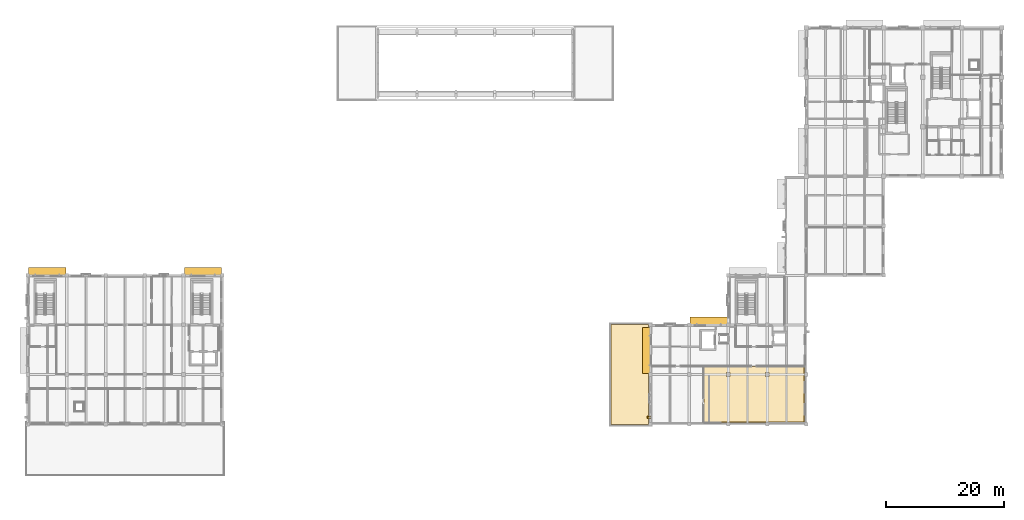
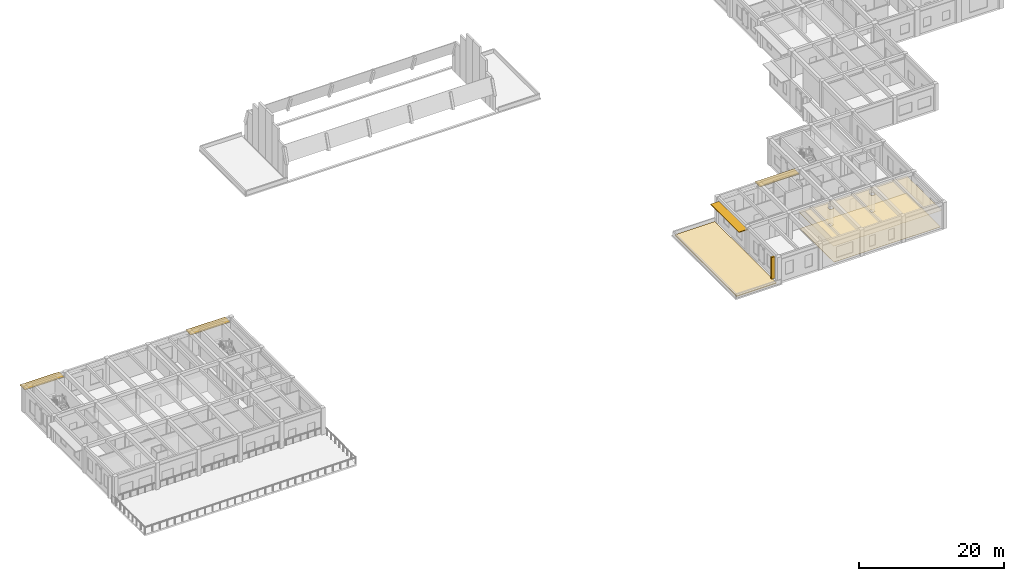
# One storey, part 21 of 25: 5 shading devices, 3 coverings.
"""IFC4 building model written with IfcOpenShell, lengths in metres."""

from ifc_helpers import new_model, si_unit, direction, frame, origin, origin_2d, place, context, subcontext, project, spatial, polyline, rectangle, outline, extrude, material, layer, layer_set, type_object, element, save


model = new_model("IFC4")

# Units and contexts
model_context = context("Model", 3, precision=1e-05, world=origin(), true_north=direction((0.0, 1.0)))
body_context = subcontext(model_context, "Body", "Model", "MODEL_VIEW")
ifc_project = project(units=[si_unit("LENGTHUNIT", "METRE"), si_unit("AREAUNIT", "SQUARE_METRE"), si_unit("VOLUMEUNIT", "CUBIC_METRE"), si_unit("PLANEANGLEUNIT", "RADIAN"), si_unit("MASSUNIT", "GRAM", prefix="KILO")], contexts=[model_context])

# Site, building, storey
site_placement = place(None, origin())
site = spatial("IfcSite", under=ifc_project, at=site_placement, CompositionType="ELEMENT")
building_placement = place(site_placement, origin())
building = spatial("IfcBuilding", under=site, at=building_placement, Name="Kolvaren Faculty of Natural Sciences", CompositionType="ELEMENT")
storey_placement = place(building_placement, frame((0.0, 0.0, 19.5)))
storey = spatial("IfcBuildingStorey", under=building, at=storey_placement, Name="L04", CompositionType="ELEMENT", Elevation=19.5)

# Covering
ifc_material_1 = material(Name="Perforated mineral-fibre acoustic suspended ceiling tile")
ifc_layer_1 = layer(ifc_material_1, 0.02490234375)
ifc_layer_set_1 = layer_set([ifc_layer_1], Name="Perforated mineral-fibre acoustic suspended ceiling tile")
covering_type_1 = type_object("IfcCoveringType", Name="AcousticSuspendedCeiling_25", PredefinedType="CEILING", material=ifc_layer_set_1)
covering_1_placement = place(storey_placement, frame((0.0, 0.0, 2.824951171875)))
element("IfcCovering", 1, at=covering_1_placement, inside=storey, type_object=covering_type_1, Name="L04 L04 Quantitative Seminar Classroom acoustic ceiling", PredefinedType="CEILING", context=body_context, shape_type="SweptSolid", body=[
    extrude(outline(polyline([(132.5, 17.219970703125), (132.5, 17.300048828125), (131.89990234375, 17.300048828125), (131.89990234375, 17.219970703125), (125.89990234375, 17.219970703125), (125.89990234375, 17.300048828125), (125.300048828125, 17.300048828125), (125.300048828125, 17.219970703125), (121.320068359375, 17.219970703125), (121.320068359375, 26.8798828125), (138.580078125, 26.8798828125), (138.580078125, 25.699951171875), (138.5, 25.699951171875), (138.5, 25.10009765625), (138.580078125, 25.10009765625), (138.580078125, 17.300048828125), (138.5, 17.300048828125), (138.5, 17.219970703125), (132.5, 17.219970703125)]), holes=[polyline([(131.89990234375, 25.10009765625), (132.5, 25.10009765625), (132.5, 25.699951171875), (131.89990234375, 25.699951171875), (131.89990234375, 25.10009765625)]), polyline([(125.300048828125, 25.10009765625), (125.89990234375, 25.10009765625), (125.89990234375, 25.699951171875), (125.300048828125, 25.699951171875), (125.300048828125, 25.10009765625)])]), origin(), (0.0, 0.0, 1.0), 0.025146484375),
])

# Shading devices
ifc_material_2 = material(Name="Precast concrete C35/45", Category="concrete")
ifc_layer_2 = layer(ifc_material_2, 0.1201171875)
ifc_layer_set_2 = layer_set([ifc_layer_2], Name="Precast concrete C35/45")
shading_device_type_1 = type_object("IfcShadingDeviceType", Name="ChhajjaSolarHood_1350", PredefinedType="AWNING", material=ifc_layer_set_2)
for number, where, z_axis, x_axis, name in (
    (2, (10.10009765625, 42.85498046875, 3.494873046875), (0.0, 0.0, 1.0), (1.0, 0.0, 0.0), "L04 precast sandstone chhajja solar hood 122"),
    (3, (36.5, 42.85498046875, 3.494873046875), (0.0, 0.0, 1.0), (1.0, 0.0, 0.0), "L04 precast sandstone chhajja solar hood 123"),
):
    element("IfcShadingDevice", number, at=place(storey_placement, frame(where, z_axis=z_axis, x_axis=x_axis)), inside=storey, type_object=shading_device_type_1, Name=name, PredefinedType="AWNING", context=body_context, shape_type="SweptSolid", body=[
        extrude(rectangle(XDim=6.300048828125, YDim=1.35009765625, at=origin_2d()), origin(), (0.0, 0.0, 1.0), 0.1201171875),
    ])
shading_device_1_placement = place(storey_placement, frame((111.7451171875, 29.449951171875, 3.64501953125), z_axis=(0.0, 0.0, 1.0), x_axis=(0.0, 1.0, 0.0)))
element("IfcShadingDevice", 4, at=shading_device_1_placement, inside=storey, type_object=shading_device_type_1, Name="L04 precast sandstone chhajja solar hood 131", PredefinedType="AWNING", context=body_context, shape_type="SweptSolid", body=[
    extrude(rectangle(XDim=7.800048828125, YDim=1.35009765625, at=origin_2d()), origin(), (0.0, 0.0, 1.0), 0.1201171875),
])
shading_device_2_placement = place(storey_placement, frame((122.300048828125, 34.455078125, 3.494873046875), z_axis=(0.0, 0.0, 1.0), x_axis=(1.0, 0.0, 0.0)))
element("IfcShadingDevice", 5, at=shading_device_2_placement, inside=storey, type_object=shading_device_type_1, Name="L04 precast sandstone chhajja solar hood 132", PredefinedType="AWNING", context=body_context, shape_type="SweptSolid", body=[
    extrude(rectangle(XDim=6.300048828125, YDim=1.35009765625, at=origin_2d()), origin(), (0.0, 0.0, 1.0), 0.1201171875),
])
ifc_layer_3 = layer(ifc_material_2, 0.280029296875)
ifc_layer_set_3 = layer_set([ifc_layer_3], Name="Precast concrete C35/45")
shading_device_type_2 = type_object("IfcShadingDeviceType", Name="FacadeReliefFin_280x520", PredefinedType="USERDEFINED", material=ifc_layer_set_3)
shading_device_3_placement = place(storey_placement, frame((112.159912109375, 18.14990234375, 0.1201171875), z_axis=(0.0, 0.0, 1.0), x_axis=(0.0, 1.0, 0.0)))
element("IfcShadingDevice", 6, at=shading_device_3_placement, inside=storey, type_object=shading_device_type_2, Name="L04 projecting sandstone facade relief fin 14", ObjectType="FIN", PredefinedType="USERDEFINED", context=body_context, shape_type="SweptSolid", body=[
    extrude(rectangle(XDim=0.280029296875, YDim=0.52001953125, at=origin_2d()), origin(), (0.0, 0.0, 1.0), 3.60498046875),
])

# Coverings
ifc_material_3 = material(Name="SBS polymer-modified bitumen waterproofing membrane over PIR insulation")
ifc_layer_4 = layer(ifc_material_3, 0.139892578125)
ifc_layer_set_4 = layer_set([ifc_layer_4], Name="SBS polymer-modified bitumen waterproofing membrane over PIR insulation")
covering_type_2 = type_object("IfcCoveringType", Name="InsulatedRoofMembrane_140", PredefinedType="ROOFING", material=ifc_layer_set_4)
covering_2_placement = place(storey_placement, origin())
element("IfcCovering", 7, at=covering_2_placement, inside=storey, type_object=covering_type_2, Name="L04 insulated warm-roof waterproofing membrane 1", PredefinedType="ROOFING", context=body_context, shape_type="SweptSolid", body=[
    extrude(outline(polyline([(112.07861328125, 16.889892578125), (105.68994140625, 16.889892578125), (105.68994140625, 33.909912109375), (112.07861328125, 33.909912109375), (112.076416015625, 33.904052734375), (112.07568359375, 33.902099609375), (112.0712890625, 33.88720703125), (112.07080078125, 33.88525390625), (112.064208984375, 33.853759765625), (112.06396484375, 33.851806640625), (112.060546875, 33.818115234375), (112.060302734375, 33.81591796875), (112.06005859375, 33.800048828125), (112.06005859375, 17.0), (112.060302734375, 16.98388671875), (112.060546875, 16.98193359375), (112.06396484375, 16.947998046875), (112.064208984375, 16.9462890625), (112.07080078125, 16.914794921875), (112.0712890625, 16.912841796875), (112.07568359375, 16.897705078125), (112.076416015625, 16.89599609375), (112.07861328125, 16.889892578125)])), origin(), (0.0, 0.0, 1.0), 0.139892578125),
])
ifc_material_4 = material(Name="Polished Uruguayan grey granite terrazzo flooring", Category="masonry")
ifc_layer_5 = layer(ifc_material_4, 0.030029296875)
ifc_layer_set_5 = layer_set([ifc_layer_5], Name="Polished Uruguayan grey granite terrazzo flooring")
covering_type_3 = type_object("IfcCoveringType", Name="TerrazzoFloorFinish_30", PredefinedType="FLOORING", material=ifc_layer_set_5)
covering_3_placement = place(storey_placement, origin())
element("IfcCovering", 8, at=covering_3_placement, inside=storey, type_object=covering_type_3, Name="L04 L04 Quantitative Seminar Classroom floor finish", PredefinedType="FLOORING", context=body_context, shape_type="SweptSolid", body=[
    extrude(outline(polyline([(138.43994140625, 17.360107421875), (121.4599609375, 17.360107421875), (121.4599609375, 26.739990234375), (138.43994140625, 26.739990234375), (138.43994140625, 17.360107421875)]), holes=[polyline([(131.89990234375, 25.10009765625), (132.5, 25.10009765625), (132.5, 25.699951171875), (131.89990234375, 25.699951171875), (131.89990234375, 25.10009765625)]), polyline([(125.300048828125, 25.10009765625), (125.89990234375, 25.10009765625), (125.89990234375, 25.699951171875), (125.300048828125, 25.699951171875), (125.300048828125, 25.10009765625)])]), origin(), (0.0, 0.0, 1.0), 0.030029296875),
])

save(model, "model.ifc")
